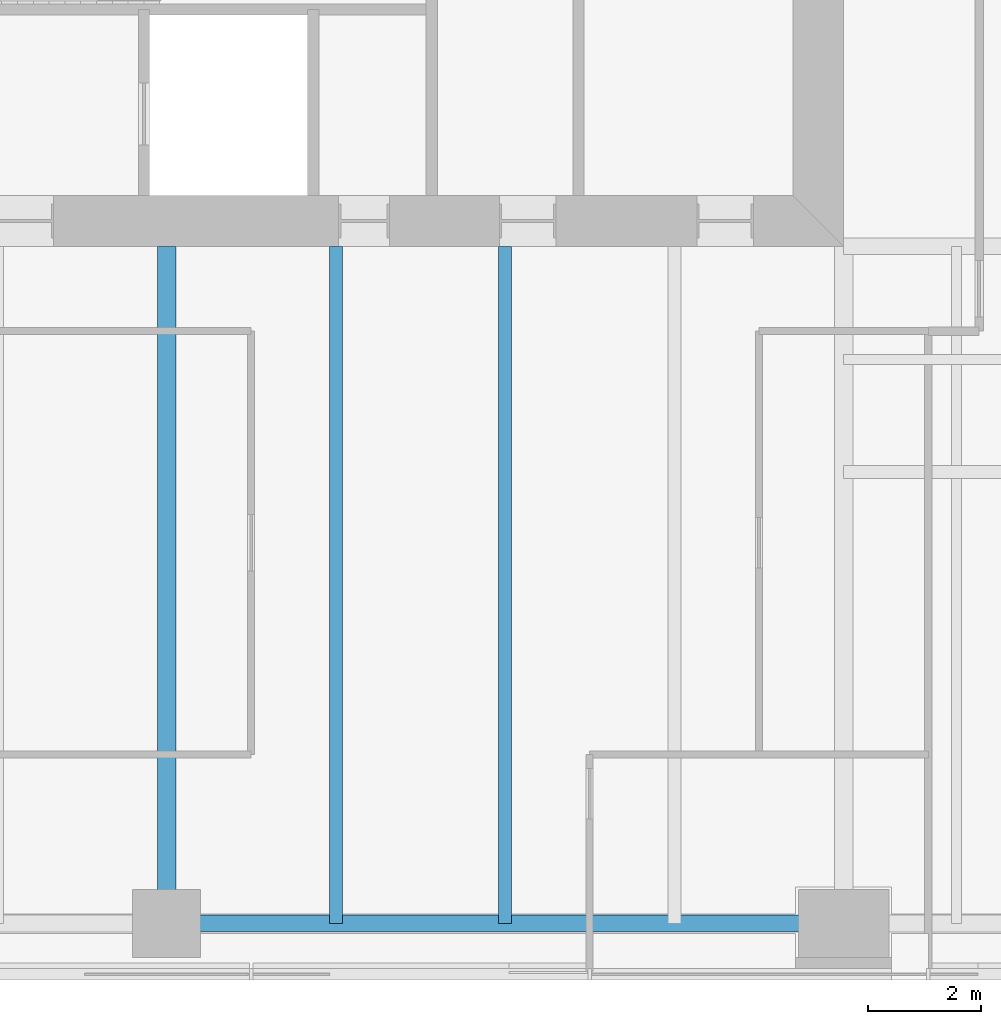
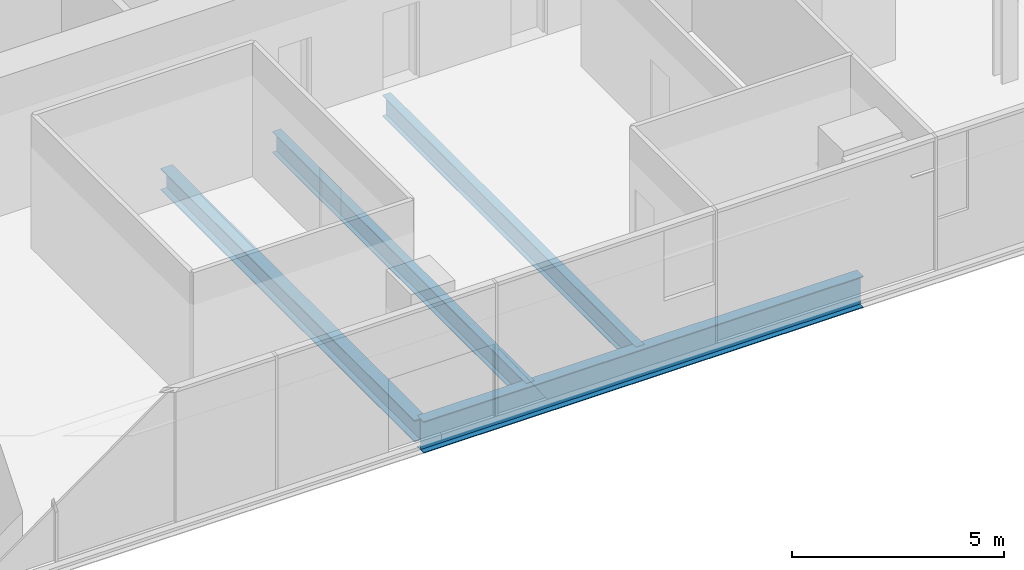
# One storey, part 3 of 16: 4 beams.
"""IFC4 building model written with IfcOpenShell, lengths in metres."""

from ifc_helpers import new_model, si_unit, direction, frame, origin, origin_2d, place, context, subcontext, project, spatial, i_section, extrude, material, material_profile, profile_set, type_object, element, save


model = new_model("IFC4")

# Units and contexts
model_context = context("Model", 3, precision=1e-05, world=origin(), true_north=direction((0.0, 1.0)))
body_context = subcontext(model_context, "Body", "Model", "MODEL_VIEW")
ifc_project = project(units=[si_unit("LENGTHUNIT", "METRE"), si_unit("AREAUNIT", "SQUARE_METRE"), si_unit("VOLUMEUNIT", "CUBIC_METRE"), si_unit("PLANEANGLEUNIT", "RADIAN"), si_unit("MASSUNIT", "GRAM", prefix="KILO")], contexts=[model_context])

# Site, building, storey
site_placement = place(None, origin())
site = spatial("IfcSite", under=ifc_project, at=site_placement, CompositionType="ELEMENT")
building_placement = place(site_placement, origin())
building = spatial("IfcBuilding", under=site, at=building_placement, Name="Fenwick Lantern Interchange", CompositionType="ELEMENT")
storey_placement = place(building_placement, frame((0.0, 0.0, 177.800048828125)))
storey = spatial("IfcBuildingStorey", under=building, at=storey_placement, Name="L41", CompositionType="ELEMENT", Elevation=177.800048828125)

# Beams
ifc_material = material(Name="Steel ASTM A992 Grade 50", Category="steel")
ifc_material_profile_1 = material_profile(ifc_material, i_section(OverallWidth=0.3046875, OverallDepth=0.911865234375, WebThickness=0.015869140625, FlangeThickness=0.02392578125, at=origin_2d()), Name="W36X150")
ifc_profile_set_1 = profile_set([ifc_material_profile_1], Name="Steel ASTM A992 Grade 50")
beam_type_1 = type_object("IfcBeamType", Name="EDGE BEAM W36X150", PredefinedType="SPANDREL", material=ifc_profile_set_1)
beam_1_placement = place(storey_placement, frame((25.0, 1.0, -0.60595703125), z_axis=(1.0, 0.0, 0.0), x_axis=(0.0, 1.0, 0.0)))
element("IfcBeam", 1, at=beam_1_placement, inside=storey, type_object=beam_type_1, Name="L41/FR/S/EB3", PredefinedType="SPANDREL", context=body_context, shape_type="SweptSolid", body=[
    extrude(i_section(OverallWidth=0.3046875, OverallDepth=0.911865234375, WebThickness=0.015869140625, FlangeThickness=0.02392578125, at=origin_2d()), origin(), (0.0, 0.0, 1.0), 12.0),
])
ifc_material_profile_2 = material_profile(ifc_material, i_section(OverallWidth=0.22900390625, OverallDepth=0.612060546875, WebThickness=0.011962890625, FlangeThickness=0.01953125, at=origin_2d()), Name="W24X84")
ifc_profile_set_2 = profile_set([ifc_material_profile_2], Name="Steel ASTM A992 Grade 50")
beam_type_2 = type_object("IfcBeamType", Name="FLOOR BEAM W24X84", PredefinedType="BEAM", material=ifc_profile_set_2)
for number, where, z_axis, x_axis, name in (
    (2, (28.0, 1.0, -0.4560546875), (0.0, 1.0, 0.0), (-1.0, 0.0, 0.0), "L41/FR/S/R06"),
    (3, (31.0, 1.0, -0.4560546875), (0.0, 1.0, 0.0), (-1.0, 0.0, 0.0), "L41/FR/S/R07"),
):
    element("IfcBeam", number, at=place(storey_placement, frame(where, z_axis=z_axis, x_axis=x_axis)), inside=storey, type_object=beam_type_2, Name=name, PredefinedType="BEAM", context=body_context, shape_type="SweptSolid", body=[
        extrude(i_section(OverallWidth=0.22900390625, OverallDepth=0.612060546875, WebThickness=0.011962890625, FlangeThickness=0.01953125, at=origin_2d()), origin(), (0.0, 0.0, 1.0), 12.0),
    ])
ifc_material_profile_3 = material_profile(ifc_material, i_section(OverallWidth=0.32763671875, OverallDepth=0.622314453125, WebThickness=0.015380859375, FlangeThickness=0.0244140625, at=origin_2d()), Name="W24X131")
ifc_profile_set_3 = profile_set([ifc_material_profile_3], Name="Steel ASTM A992 Grade 50")
beam_type_3 = type_object("IfcBeamType", Name="MOMENT-CONNECTED GIRDER W24X131", PredefinedType="BEAM", material=ifc_profile_set_3)
beam_2_placement = place(storey_placement, frame((25.0, 1.0, -0.461181640625), z_axis=(0.0, 1.0, 0.0), x_axis=(-1.0, 0.0, 0.0)))
element("IfcBeam", 4, at=beam_2_placement, inside=storey, type_object=beam_type_3, Name="L41/FR/S/R05", PredefinedType="BEAM", context=body_context, shape_type="SweptSolid", body=[
    extrude(i_section(OverallWidth=0.32763671875, OverallDepth=0.622314453125, WebThickness=0.015380859375, FlangeThickness=0.0244140625, at=origin_2d()), origin(), (0.0, 0.0, 1.0), 12.0),
])

save(model, "model.ifc")
